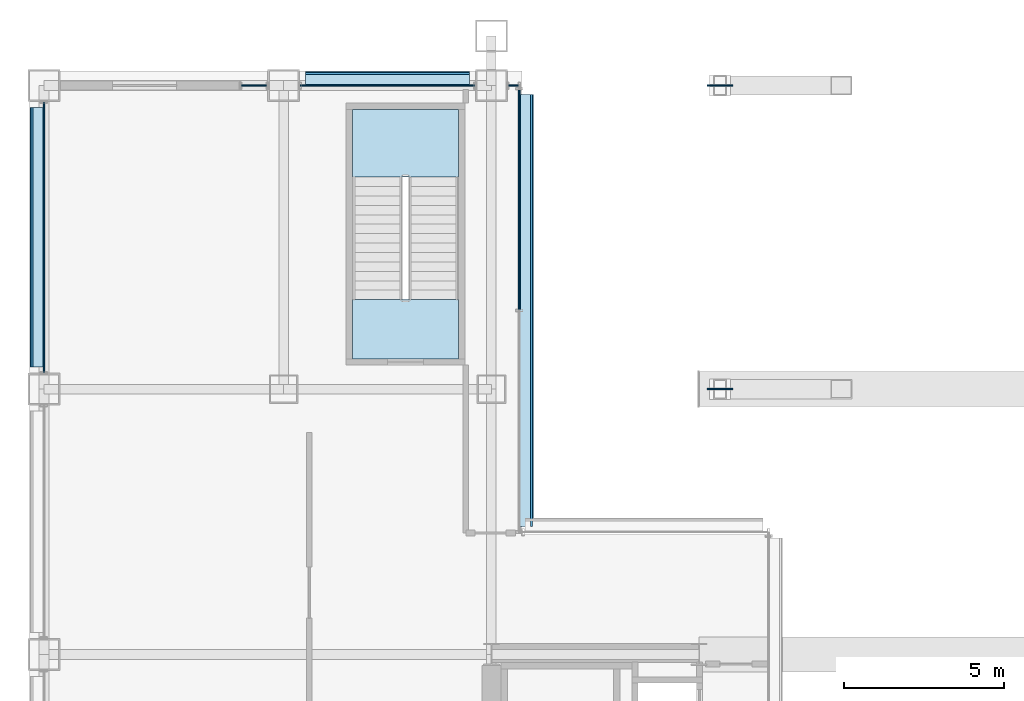
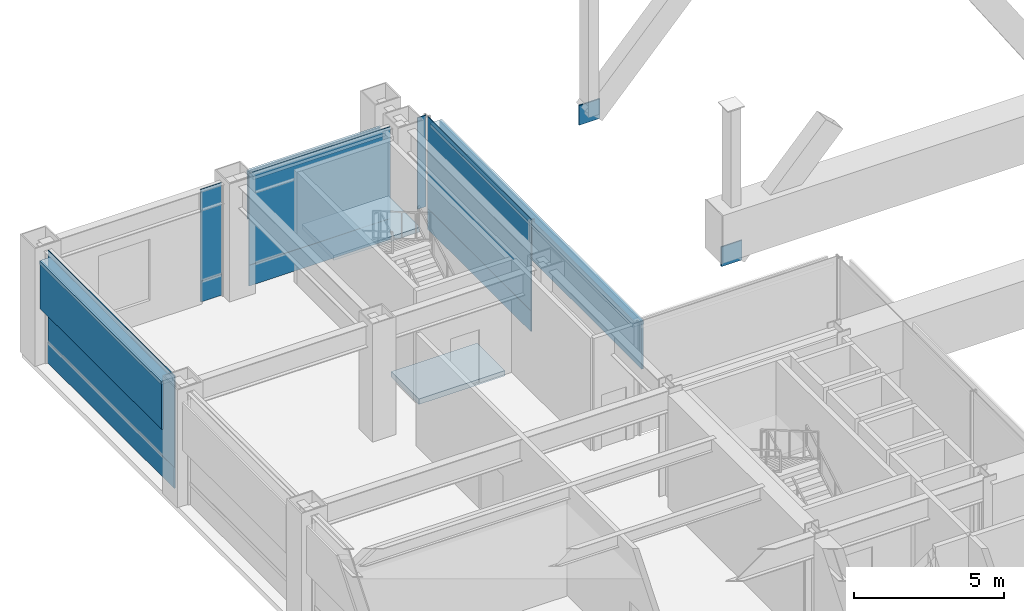
# One storey, part 33 of 42: 17 plates, 2 slabs, 6 elements without a shape of their own.
"""IFC4 building model written with IfcOpenShell, lengths in metres."""

from ifc_helpers import new_model, si_unit, direction, frame, origin, origin_2d, place, context, subcontext, project, spatial, polyline, rectangle, outline, extrude, material, layer, layer_set, type_object, element, aggregate, save


model = new_model("IFC4")

# Units and contexts
model_context = context("Model", 3, precision=1e-05, world=origin(), true_north=direction((0.0, 1.0)))
body_context = subcontext(model_context, "Body", "Model", "MODEL_VIEW")
ifc_project = project(units=[si_unit("LENGTHUNIT", "METRE"), si_unit("AREAUNIT", "SQUARE_METRE"), si_unit("VOLUMEUNIT", "CUBIC_METRE"), si_unit("PLANEANGLEUNIT", "RADIAN"), si_unit("MASSUNIT", "GRAM", prefix="KILO")], contexts=[model_context])

# Site, building, storey
site_placement = place(None, origin())
site = spatial("IfcSite", under=ifc_project, at=site_placement, CompositionType="ELEMENT")
building_placement = place(site_placement, origin())
building = spatial("IfcBuilding", under=site, at=building_placement, Name="Brelmoor Portico Tower", CompositionType="ELEMENT")
storey_placement = place(building_placement, frame((0.0, 0.0, 9.60009765625)))
storey = spatial("IfcBuildingStorey", under=building, at=storey_placement, Name="L02", CompositionType="ELEMENT", Elevation=9.60009765625)

# Curtain wall, plate
ifc_material_1 = material(Name="Anodised Aluminium Alloy 6063-T6", Category="aluminium")
ifc_layer_1 = layer(ifc_material_1, 0.179931640625)
ifc_layer_set_1 = layer_set([ifc_layer_1], Name="Anodised Aluminium Alloy 6063-T6")
curtain_wall_type = type_object("IfcCurtainWallType", Name="CW-PODIUM-ARCH", PredefinedType="NOTDEFINED", material=ifc_layer_set_1)
curtain_wall_1_placement = place(storey_placement, origin())
curtain_wall_1 = element("IfcCurtainWall", 1, at=curtain_wall_1_placement, inside=storey, type_object=curtain_wall_type, Name="L02 Curtain Wall CW-L02-03-1", PredefinedType="NOTDEFINED")
ifc_material_2 = material(Name="Double-Silver Low-E Insulated Glazing", Category="glass")
ifc_layer_2 = layer(ifc_material_2, 0.035888671875)
ifc_layer_set_2 = layer_set([ifc_layer_2], Name="Double-Silver Low-E Insulated Glazing")
plate_type_1 = type_object("IfcPlateType", Name="PT-CW-GLASS", PredefinedType="CURTAIN_PANEL", material=ifc_layer_set_2)
plate_1_placement = place(storey_placement, frame((-21.97998046875, 27.550048828125, 0.849853515625), z_axis=(0.0, 0.0, 1.0), x_axis=(1.0, 0.0, 0.0)))
plate_1 = element("IfcPlate", 2, at=plate_1_placement, type_object=plate_type_1, Name="CW-L02-03-1 Vision Glass Panel 00", PredefinedType="CURTAIN_PANEL", context=body_context, shape_type="SweptSolid", body=[
    extrude(rectangle(XDim=0.81005859375, YDim=0.035888671875, at=origin_2d()), origin(), (0.0, 0.0, 1.0), 3.72998046875),
])

curtain_wall_2_placement = place(storey_placement, origin())
curtain_wall_2 = element("IfcCurtainWall", 3, at=curtain_wall_2_placement, inside=storey, type_object=curtain_wall_type, Name="L02 Curtain Wall CW-L02-03-2", PredefinedType="NOTDEFINED")
plate_2_placement = place(storey_placement, frame((-17.800048828125, 27.550048828125, 0.849853515625), z_axis=(0.0, 0.0, 1.0), x_axis=(1.0, 0.0, 0.0)))
plate_2 = element("IfcPlate", 4, at=plate_2_placement, type_object=plate_type_1, Name="CW-L02-03-2 Vision Glass Panel 00", PredefinedType="CURTAIN_PANEL", context=body_context, shape_type="SweptSolid", body=[
    extrude(rectangle(XDim=5.449951171875, YDim=0.035888671875, at=origin_2d()), origin(), (0.0, 0.0, 1.0), 3.72998046875),
])

curtain_wall_3_placement = place(storey_placement, origin())
curtain_wall_3 = element("IfcCurtainWall", 5, at=curtain_wall_3_placement, inside=storey, type_object=curtain_wall_type, Name="L02 Curtain Wall CW-L02-03-3", PredefinedType="NOTDEFINED")
plate_3_placement = place(storey_placement, frame((-13.860107421875, 27.550048828125, 0.849853515625), z_axis=(0.0, 0.0, 1.0), x_axis=(1.0, 0.0, 0.0)))
plate_3 = element("IfcPlate", 6, at=plate_3_placement, type_object=plate_type_1, Name="CW-L02-03-3 Vision Glass Panel 00", PredefinedType="CURTAIN_PANEL", context=body_context, shape_type="SweptSolid", body=[
    extrude(rectangle(XDim=0.330078125, YDim=0.035888671875, at=origin_2d()), origin(), (0.0, 0.0, 1.0), 3.72998046875),
])
aggregate(curtain_wall_3, [plate_3])

curtain_wall_4_placement = place(storey_placement, origin())
curtain_wall_4 = element("IfcCurtainWall", 7, at=curtain_wall_4_placement, inside=storey, type_object=curtain_wall_type, Name="L02 Curtain Wall CW-L02-05-6", PredefinedType="NOTDEFINED")
plate_4_placement = place(storey_placement, frame((-28.550048828125, 22.800048828125, 0.849853515625), z_axis=(0.0, 0.0, 1.0), x_axis=(0.0, 1.0, 0.0)))
plate_4 = element("IfcPlate", 8, at=plate_4_placement, type_object=plate_type_1, Name="CW-L02-05-6 Vision Glass Panel 00", PredefinedType="CURTAIN_PANEL", context=body_context, shape_type="SweptSolid", body=[
    extrude(rectangle(XDim=8.449951171875, YDim=0.035888671875, at=origin_2d()), origin(), (0.0, 0.0, 1.0), 3.72998046875),
])

curtain_wall_5_placement = place(storey_placement, origin())
curtain_wall_5 = element("IfcCurtainWall", 9, at=curtain_wall_5_placement, inside=storey, type_object=curtain_wall_type, Name="L02 Curtain Wall CW-L02-09", PredefinedType="NOTDEFINED")
plate_5_placement = place(storey_placement, frame((-13.679931640625, 23.982421875, 0.849853515625), z_axis=(0.0, 0.0, 1.0), x_axis=(0.0, 1.0, 0.0)))
plate_5 = element("IfcPlate", 10, at=plate_5_placement, type_object=plate_type_1, Name="CW-L02-09 Vision Glass Panel 01", PredefinedType="CURTAIN_PANEL", context=body_context, shape_type="SweptSolid", body=[
    extrude(rectangle(XDim=6.905029296875, YDim=0.035888671875, at=origin_2d()), origin(), (0.0, 0.0, 1.0), 3.72998046875),
])

# Plate
ifc_material_3 = material(Name="Pale Champagne Anodised Aluminium Panel", Category="aluminium")
ifc_layer_3 = layer(ifc_material_3, 0.050048828125)
ifc_layer_set_3 = layer_set([ifc_layer_3], Name="Pale Champagne Anodised Aluminium Panel")
plate_type_2 = type_object("IfcPlateType", Name="PT-CW-SPANDREL", PredefinedType="SHEET", material=ifc_layer_set_3)
plate_6_placement = place(storey_placement, frame((-21.97998046875, 27.550048828125, -0.000244140625), z_axis=(0.0, 0.0, 1.0), x_axis=(1.0, 0.0, 0.0)))
plate_6 = element("IfcPlate", 11, at=plate_6_placement, type_object=plate_type_2, Name="CW-L02-03-1 Spandrel Panel 00", PredefinedType="SHEET", context=body_context, shape_type="SweptSolid", body=[
    extrude(rectangle(XDim=0.81005859375, YDim=0.050048828125, at=origin_2d()), origin(), (0.0, 0.0, 1.0), 0.85009765625),
])

aggregate(curtain_wall_1, [plate_6, plate_1])

plate_7_placement = place(storey_placement, frame((-17.800048828125, 27.550048828125, -0.000244140625), z_axis=(0.0, 0.0, 1.0), x_axis=(1.0, 0.0, 0.0)))
plate_7 = element("IfcPlate", 12, at=plate_7_placement, type_object=plate_type_2, Name="CW-L02-03-2 Spandrel Panel 00", PredefinedType="SHEET", context=body_context, shape_type="SweptSolid", body=[
    extrude(rectangle(XDim=5.449951171875, YDim=0.050048828125, at=origin_2d()), origin(), (0.0, 0.0, 1.0), 0.85009765625),
])

aggregate(curtain_wall_2, [plate_7, plate_2])

plate_8_placement = place(storey_placement, frame((-28.550048828125, 22.800048828125, -0.000244140625), z_axis=(0.0, 0.0, 1.0), x_axis=(0.0, 1.0, 0.0)))
plate_8 = element("IfcPlate", 13, at=plate_8_placement, type_object=plate_type_2, Name="CW-L02-05-6 Spandrel Panel 00", PredefinedType="SHEET", context=body_context, shape_type="SweptSolid", body=[
    extrude(rectangle(XDim=8.449951171875, YDim=0.050048828125, at=origin_2d()), origin(), (0.0, 0.0, 1.0), 0.85009765625),
])

aggregate(curtain_wall_4, [plate_8, plate_4])

plate_9_placement = place(storey_placement, frame((-13.679931640625, 23.982421875, -0.000244140625), z_axis=(0.0, 0.0, 1.0), x_axis=(0.0, 1.0, 0.0)))
plate_9 = element("IfcPlate", 14, at=plate_9_placement, type_object=plate_type_2, Name="CW-L02-09 Spandrel Panel 01", PredefinedType="SHEET", context=body_context, shape_type="SweptSolid", body=[
    extrude(rectangle(XDim=6.905029296875, YDim=0.050048828125, at=origin_2d()), origin(), (0.0, 0.0, 1.0), 0.85009765625),
])

aggregate(curtain_wall_5, [plate_9, plate_5])

# Plates
ifc_material_4 = material(Name="Steel Q355B", Category="steel")
ifc_layer_4 = layer(ifc_material_4, 0.050048828125)
ifc_layer_set_4 = layer_set([ifc_layer_4], Name="Steel Q355B")
plate_type_3 = type_object("IfcPlateType", Name="PT-GUSSET-800", PredefinedType="USERDEFINED", material=ifc_layer_set_4)
for number, where, z_axis, x_axis, name in (
    (15, (-7.39990234375, 18.050048828125, 2.10009765625), (0.0, 0.0, 1.0), (1.0, 0.0, 0.0), "Portico Arch Gusset Plate N2-2"),
    (16, (-7.39990234375, 27.550048828125, 2.10009765625), (0.0, 0.0, 1.0), (1.0, 0.0, 0.0), "Portico Arch Gusset Plate N1-2"),
):
    element("IfcPlate", number, at=place(storey_placement, frame(where, z_axis=z_axis, x_axis=x_axis)), inside=storey, type_object=plate_type_3, Name=name, ObjectType="GUSSET PLATE", PredefinedType="USERDEFINED", context=body_context, shape_type="SweptSolid", body=[
        extrude(rectangle(XDim=0.800048828125, YDim=0.050048828125, at=origin_2d()), origin(), (0.0, 0.0, 1.0), 0.800048828125),
    ])
ifc_material_5 = material(Name="Powder-Coated Aluminium Shuttered Jalousie Louvre", Category="aluminium")
ifc_layer_5 = layer(ifc_material_5, 0.06005859375)
ifc_layer_set_5 = layer_set([ifc_layer_5], Name="Powder-Coated Aluminium Shuttered Jalousie Louvre")
plate_type_4 = type_object("IfcPlateType", Name="PT-JALOUSIE-SHUTTER", PredefinedType="SHEET", material=ifc_layer_set_5)
plate_10_placement = place(storey_placement, frame((-17.800048828125, 27.929931640625, 2.4404296875), z_axis=(0.0, 0.0, 1.0), x_axis=(1.0, 0.0, 0.0)))
element("IfcPlate", 17, at=plate_10_placement, inside=storey, type_object=plate_type_4, Name="CW-L02-03-2 Perforated Jalousie Solar Screen", PredefinedType="SHEET", context=body_context, shape_type="SweptSolid", body=[
    extrude(rectangle(XDim=5.1201171875, YDim=0.06494140625, at=origin_2d()), origin(), (0.0, 0.0, 1.0), 1.939697265625),
])
plate_11_placement = place(storey_placement, frame((-28.929931640625, 22.800048828125, 2.4404296875), z_axis=(0.0, 0.0, 1.0), x_axis=(0.0, 1.0, 0.0)))
element("IfcPlate", 18, at=plate_11_placement, inside=storey, type_object=plate_type_4, Name="CW-L02-05-6 Perforated Jalousie Solar Screen", PredefinedType="SHEET", context=body_context, shape_type="SweptSolid", body=[
    extrude(rectangle(XDim=8.1201171875, YDim=0.06494140625, at=origin_2d()), origin(), (0.0, 0.0, 1.0), 1.939697265625),
])
plate_12_placement = place(storey_placement, frame((-13.300048828125, 20.514892578125, 2.4404296875), z_axis=(0.0, 0.0, 1.0), x_axis=(0.0, 1.0, 0.0)))
element("IfcPlate", 19, at=plate_12_placement, inside=storey, type_object=plate_type_4, Name="CW-L02-09 Perforated Jalousie Solar Screen", PredefinedType="SHEET", context=body_context, shape_type="SweptSolid", body=[
    extrude(rectangle(XDim=13.510009765625, YDim=0.06494140625, at=origin_2d()), origin(), (0.0, 0.0, 1.0), 1.939697265625),
])
ifc_material_6 = material(Name="Pale Champagne Perforated Aluminium Solar Screen", Category="aluminium")
ifc_layer_6 = layer(ifc_material_6, 0.054931640625)
ifc_layer_set_6 = layer_set([ifc_layer_6], Name="Pale Champagne Perforated Aluminium Solar Screen")
plate_type_5 = type_object("IfcPlateType", Name="PT-SOLAR-LOUVRE", PredefinedType="SHEET", material=ifc_layer_set_6)
plate_13_placement = place(storey_placement, frame((-17.800048828125, 27.760009765625, 4.27001953125), z_axis=(0.0, 0.0, 1.0), x_axis=(1.0, 0.0, 0.0)))
element("IfcPlate", 20, at=plate_13_placement, inside=storey, type_object=plate_type_5, Name="CW-L02-03-2 Caribbean Brise-Soleil Solar Screen", PredefinedType="SHEET", context=body_context, shape_type="SweptSolid", body=[
    extrude(rectangle(XDim=5.1201171875, YDim=0.4599609375, at=origin_2d()), origin(), (0.0, 0.0, 1.0), 0.139892578125),
])
plate_14_placement = place(storey_placement, frame((-28.760009765625, 22.800048828125, 4.27001953125), z_axis=(0.0, 0.0, 1.0), x_axis=(0.0, 1.0, 0.0)))
element("IfcPlate", 21, at=plate_14_placement, inside=storey, type_object=plate_type_5, Name="CW-L02-05-6 Caribbean Brise-Soleil Solar Screen", PredefinedType="SHEET", context=body_context, shape_type="SweptSolid", body=[
    extrude(rectangle(XDim=8.1201171875, YDim=0.4599609375, at=origin_2d()), origin(), (0.0, 0.0, 1.0), 0.139892578125),
])
plate_15_placement = place(storey_placement, frame((-13.469970703125, 20.514892578125, 4.27001953125), z_axis=(0.0, 0.0, 1.0), x_axis=(0.0, 1.0, 0.0)))
element("IfcPlate", 22, at=plate_15_placement, inside=storey, type_object=plate_type_5, Name="CW-L02-09 Caribbean Brise-Soleil Solar Screen", PredefinedType="SHEET", context=body_context, shape_type="SweptSolid", body=[
    extrude(rectangle(XDim=13.510009765625, YDim=0.4599609375, at=origin_2d()), origin(), (0.0, 0.0, 1.0), 0.139892578125),
])

# Stair, slab
ifc_material_7 = material(Name="Concrete C40", Category="concrete")
stair_type = type_object("IfcStairType", Name="ST-POD-P1", PredefinedType="HALF_TURN_STAIR", material=ifc_material_7)
stair_placement = place(storey_placement, origin())
stair = element("IfcStair", 23, at=stair_placement, inside=storey, type_object=stair_type, Name="L02 Podium Protected Exit Stair ST-P1", PredefinedType="HALF_TURN_STAIR")
ifc_layer_7 = layer(ifc_material_7, 0.179931640625)
ifc_layer_set_7 = layer_set([ifc_layer_7], Name="Concrete C40")
slab_type_1 = type_object("IfcSlabType", Name="SL-LANDING-180", PredefinedType="LANDING", material=ifc_layer_set_7)
slab_1_placement = place(storey_placement, frame((0.0, 0.0, 2.199951171875)))
slab_1 = element("IfcSlab", 24, at=slab_1_placement, type_object=slab_type_1, Name="ST-P1 landing 1", PredefinedType="LANDING", context=body_context, shape_type="SweptSolid", body=[
    extrude(outline(polyline([(-15.580078125, 24.68505859375), (-15.580078125, 26.800048828125), (-18.89990234375, 26.800048828125), (-18.89990234375, 24.68505859375), (-15.580078125, 24.68505859375)])), origin(), (0.0, 0.0, 1.0), 0.199951171875),
])
aggregate(stair, [slab_1])

# Slab
ifc_layer_8 = layer(ifc_material_7, 0.219970703125)
ifc_layer_set_8 = layer_set([ifc_layer_8], Name="Concrete C40")
slab_type_2 = type_object("IfcSlabType", Name="SL-STAIR-FL220", PredefinedType="LANDING", material=ifc_layer_set_8)
slab_2_placement = place(storey_placement, frame((0.0, 0.0, -0.22021484375)))
element("IfcSlab", 25, at=slab_2_placement, inside=storey, type_object=slab_type_2, Name="L02 ST-P1 Structural Floor Landing Slab", PredefinedType="LANDING", context=body_context, shape_type="SweptSolid", body=[
    extrude(outline(polyline([(-15.580078125, 19.0), (-15.580078125, 20.85009765625), (-18.89990234375, 20.85009765625), (-18.89990234375, 19.0), (-15.580078125, 19.0)])), origin(), (0.0, 0.0, 1.0), 0.22021484375),
])

save(model, "model.ifc")
